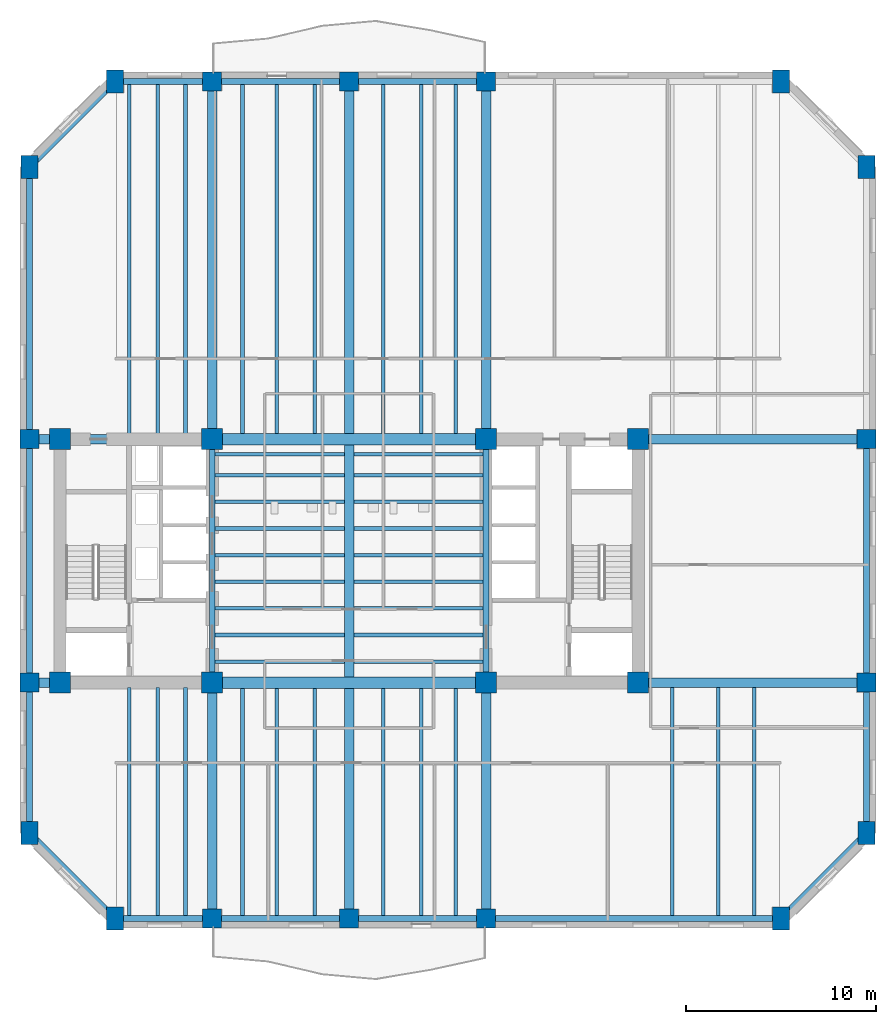
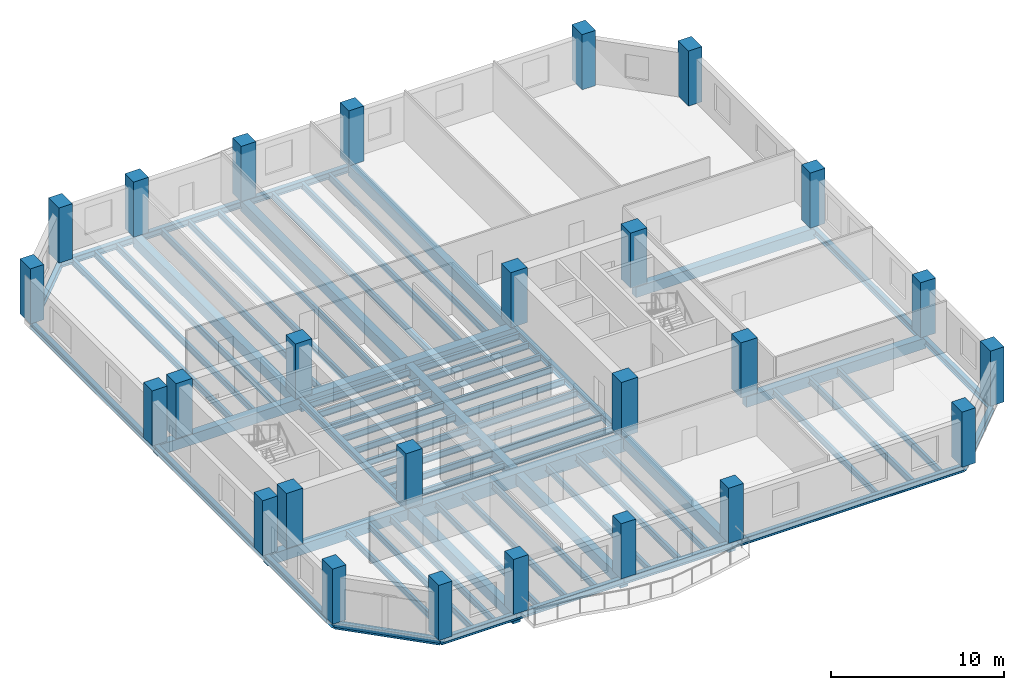
# One storey, part 1 of 9: 69 beams, 26 columns.
"""IFC4 building model written with IfcOpenShell, lengths in metres."""

from ifc_helpers import new_model, si_unit, direction, frame, origin, origin_2d, place, context, subcontext, project, spatial, rectangle, i_section, extrude, material, material_profile, profile_set, type_object, element, save


model = new_model("IFC4")

# Units and contexts
model_context = context("Model", 3, precision=1e-05, world=origin(), true_north=direction((0.0, 1.0)))
body_context = subcontext(model_context, "Body", "Model", "MODEL_VIEW")
ifc_project = project(units=[si_unit("LENGTHUNIT", "METRE"), si_unit("AREAUNIT", "SQUARE_METRE"), si_unit("VOLUMEUNIT", "CUBIC_METRE"), si_unit("PLANEANGLEUNIT", "RADIAN"), si_unit("MASSUNIT", "GRAM", prefix="KILO")], contexts=[model_context])

# Site, building, storey
site_placement = place(None, origin())
site = spatial("IfcSite", under=ifc_project, at=site_placement, CompositionType="ELEMENT")
building_placement = place(site_placement, origin())
building = spatial("IfcBuilding", under=site, at=building_placement, Name="Kranthara Brick Stack", CompositionType="ELEMENT")
storey_placement = place(building_placement, frame((0.0, 0.0, 86.699951171875)))
storey = spatial("IfcBuildingStorey", under=building, at=storey_placement, Name="L21", CompositionType="ELEMENT", Elevation=86.699951171875)

# Columns
ifc_material_1 = material(Name="Concrete C70/85", Category="concrete")
ifc_material_profile_1 = material_profile(ifc_material_1, rectangle(XDim=0.89990234375, YDim=1.199951171875, at=origin_2d()), Name="RC 900x1200")
ifc_profile_set_1 = profile_set([ifc_material_profile_1], Name="Concrete C70/85")
column_type_1 = type_object("IfcColumnType", Name="COL-CHAM-900x1200", PredefinedType="COLUMN", material=ifc_profile_set_1)
for number, where, z_axis, x_axis, name in (
    (1, (15.699951171875, 8.39990234375, 0.0), (0.0, 0.0, 1.0), (1.0, 0.0, 0.0), "L21 Column 09"),
    (2, (15.699951171875, 52.39990234375, 0.0), (0.0, 0.0, 1.0), (1.0, 0.0, 0.0), "L21 Column 10"),
    (3, (50.699951171875, 8.39990234375, 0.0), (0.0, 0.0, 1.0), (1.0, 0.0, 0.0), "L21 Column 17"),
    (4, (50.699951171875, 52.39990234375, 0.0), (0.0, 0.0, 1.0), (1.0, 0.0, 0.0), "L21 Column 18"),
    (5, (11.199951171875, 12.89990234375, 0.0), (0.0, 0.0, 1.0), (1.0, 0.0, 0.0), "L21 Column 19"),
    (6, (55.199951171875, 12.89990234375, 0.0), (0.0, 0.0, 1.0), (1.0, 0.0, 0.0), "L21 Column 20"),
    (7, (11.199951171875, 47.89990234375, 0.0), (0.0, 0.0, 1.0), (1.0, 0.0, 0.0), "L21 Column 25"),
    (8, (55.199951171875, 47.89990234375, 0.0), (0.0, 0.0, 1.0), (1.0, 0.0, 0.0), "L21 Column 26"),
):
    element("IfcColumn", number, at=place(storey_placement, frame(where, z_axis=z_axis, x_axis=x_axis)), inside=storey, type_object=column_type_1, Name=name, PredefinedType="COLUMN", context=body_context, shape_type="SweptSolid", body=[
        extrude(rectangle(XDim=0.89990234375, YDim=1.199951171875, at=origin_2d()), origin(), (0.0, 0.0, 1.0), 3.900146484375),
    ])
ifc_material_2 = material(Name="Concrete C70/85", Category="concrete")
ifc_material_profile_2 = material_profile(ifc_material_2, rectangle(XDim=1.10009765625, YDim=1.10009765625, at=origin_2d()), Name="RC 1100x1100")
ifc_profile_set_2 = profile_set([ifc_material_profile_2], Name="Concrete C70/85")
column_type_2 = type_object("IfcColumnType", Name="COL-CORE-1100", PredefinedType="COLUMN", material=ifc_profile_set_2)
for number, where, z_axis, x_axis, name in (
    (9, (12.800048828125, 20.800048828125, 0.0), (0.0, 0.0, 1.0), (1.0, 0.0, 0.0), "L21 Column 01"),
    (10, (20.800048828125, 20.800048828125, 0.0), (0.0, 0.0, 1.0), (1.0, 0.0, 0.0), "L21 Column 02"),
    (11, (12.800048828125, 33.60009765625, 0.0), (0.0, 0.0, 1.0), (1.0, 0.0, 0.0), "L21 Column 03"),
    (12, (20.800048828125, 33.60009765625, 0.0), (0.0, 0.0, 1.0), (1.0, 0.0, 0.0), "L21 Column 04"),
    (13, (35.199951171875, 20.800048828125, 0.0), (0.0, 0.0, 1.0), (1.0, 0.0, 0.0), "L21 Column 05"),
    (14, (43.199951171875, 20.800048828125, 0.0), (0.0, 0.0, 1.0), (1.0, 0.0, 0.0), "L21 Column 06"),
    (15, (35.199951171875, 33.60009765625, 0.0), (0.0, 0.0, 1.0), (1.0, 0.0, 0.0), "L21 Column 07"),
    (16, (43.199951171875, 33.60009765625, 0.0), (0.0, 0.0, 1.0), (1.0, 0.0, 0.0), "L21 Column 08"),
):
    element("IfcColumn", number, at=place(storey_placement, frame(where, z_axis=z_axis, x_axis=x_axis)), inside=storey, type_object=column_type_2, Name=name, PredefinedType="COLUMN", context=body_context, shape_type="SweptSolid", body=[
        extrude(rectangle(XDim=1.10009765625, YDim=1.10009765625, at=origin_2d()), origin(), (0.0, 0.0, 1.0), 3.900146484375),
    ])
ifc_material_3 = material(Name="Concrete C60/75", Category="concrete")
ifc_material_profile_3 = material_profile(ifc_material_3, rectangle(XDim=1.0, YDim=1.0, at=origin_2d()), Name="RC 1000x1000")
ifc_profile_set_3 = profile_set([ifc_material_profile_3], Name="Concrete C60/75")
column_type_3 = type_object("IfcColumnType", Name="COL-PER-1000", PredefinedType="COLUMN", material=ifc_profile_set_3)
for number, where, z_axis, x_axis, name in (
    (17, (20.800048828125, 8.39990234375, 0.0), (0.0, 0.0, 1.0), (1.0, 0.0, 0.0), "L21 Column 11"),
    (18, (20.800048828125, 52.39990234375, 0.0), (0.0, 0.0, 1.0), (1.0, 0.0, 0.0), "L21 Column 12"),
    (19, (28.0, 8.39990234375, 0.0), (0.0, 0.0, 1.0), (1.0, 0.0, 0.0), "L21 Column 13"),
    (20, (28.0, 52.39990234375, 0.0), (0.0, 0.0, 1.0), (1.0, 0.0, 0.0), "L21 Column 14"),
    (21, (35.199951171875, 8.39990234375, 0.0), (0.0, 0.0, 1.0), (1.0, 0.0, 0.0), "L21 Column 15"),
    (22, (35.199951171875, 52.39990234375, 0.0), (0.0, 0.0, 1.0), (1.0, 0.0, 0.0), "L21 Column 16"),
    (23, (11.199951171875, 20.800048828125, 0.0), (0.0, 0.0, 1.0), (1.0, 0.0, 0.0), "L21 Column 21"),
    (24, (55.199951171875, 20.800048828125, 0.0), (0.0, 0.0, 1.0), (1.0, 0.0, 0.0), "L21 Column 22"),
    (25, (11.199951171875, 33.60009765625, 0.0), (0.0, 0.0, 1.0), (1.0, 0.0, 0.0), "L21 Column 23"),
    (26, (55.199951171875, 33.60009765625, 0.0), (0.0, 0.0, 1.0), (1.0, 0.0, 0.0), "L21 Column 24"),
):
    element("IfcColumn", number, at=place(storey_placement, frame(where, z_axis=z_axis, x_axis=x_axis)), inside=storey, type_object=column_type_3, Name=name, PredefinedType="COLUMN", context=body_context, shape_type="SweptSolid", body=[
        extrude(rectangle(XDim=1.0, YDim=1.0, at=origin_2d()), origin(), (0.0, 0.0, 1.0), 3.900146484375),
    ])

# Beams
ifc_material_4 = material(Name="Concrete C60/75", Category="concrete")
ifc_material_profile_4 = material_profile(ifc_material_4, rectangle(XDim=0.60009765625, YDim=0.949951171875, at=origin_2d()), Name="RC 600x950")
ifc_profile_set_4 = profile_set([ifc_material_profile_4], Name="Concrete C60/75")
beam_type_1 = type_object("IfcBeamType", Name="BM-CPL-RC950", PredefinedType="LINTEL", material=ifc_profile_set_4)
for number, where, z_axis, x_axis, name in (
    (27, (20.800048828125, 20.800048828125, -0.77490234375), (1.0, 0.0, 0.0), (0.0, 1.0, 0.0), "L21 Core Coupling Beam 001"),
    (28, (20.800048828125, 33.60009765625, -0.77490234375), (1.0, 0.0, 0.0), (0.0, 1.0, 0.0), "L21 Core Coupling Beam 002"),
):
    element("IfcBeam", number, at=place(storey_placement, frame(where, z_axis=z_axis, x_axis=x_axis)), inside=storey, type_object=beam_type_1, Name=name, PredefinedType="LINTEL", context=body_context, shape_type="SweptSolid", body=[
        extrude(rectangle(XDim=0.60009765625, YDim=0.949951171875, at=origin_2d()), origin(), (0.0, 0.0, 1.0), 14.39990234375),
    ])
ifc_material_5 = material(Name="Post-tensioned concrete C45/55", Category="concrete")
ifc_material_profile_5 = material_profile(ifc_material_5, rectangle(XDim=0.5, YDim=0.75, at=origin_2d()), Name="PT 500x750")
ifc_profile_set_5 = profile_set([ifc_material_profile_5], Name="Post-tensioned concrete C45/55")
beam_type_2 = type_object("IfcBeamType", Name="BM-FLR-PT750", PredefinedType="BEAM", material=ifc_profile_set_5)
beam_1_placement = place(storey_placement, frame((20.800048828125, 8.39990234375, -0.675048828125), z_axis=(0.0, 1.0, 0.0), x_axis=(-1.0, 0.0, 0.0)))
element("IfcBeam", 29, at=beam_1_placement, inside=storey, type_object=beam_type_2, Name="L21 Primary Grid Girder 023", PredefinedType="BEAM", context=body_context, shape_type="SweptSolid", body=[
    extrude(rectangle(XDim=0.5, YDim=0.75, at=origin_2d()), origin(), (0.0, 0.0, 1.0), 12.400146484375),
])
beam_2_placement = place(storey_placement, frame((20.800048828125, 33.60009765625, -0.675048828125), z_axis=(0.0, 1.0, 0.0), x_axis=(-1.0, 0.0, 0.0)))
element("IfcBeam", 30, at=beam_2_placement, inside=storey, type_object=beam_type_2, Name="L21 Primary Grid Girder 024", PredefinedType="BEAM", context=body_context, shape_type="SweptSolid", body=[
    extrude(rectangle(XDim=0.5, YDim=0.75, at=origin_2d()), origin(), (0.0, 0.0, 1.0), 18.7998046875),
])
beam_3_placement = place(storey_placement, frame((28.0, 8.39990234375, -0.675048828125), z_axis=(0.0, 1.0, 0.0), x_axis=(-1.0, 0.0, 0.0)))
element("IfcBeam", 31, at=beam_3_placement, inside=storey, type_object=beam_type_2, Name="L21 Primary Grid Girder 025", PredefinedType="BEAM", context=body_context, shape_type="SweptSolid", body=[
    extrude(rectangle(XDim=0.5, YDim=0.75, at=origin_2d()), origin(), (0.0, 0.0, 1.0), 12.10009765625),
])
beam_4_placement = place(storey_placement, frame((28.0, 21.10009765625, -0.675048828125), z_axis=(0.0, 1.0, 0.0), x_axis=(-1.0, 0.0, 0.0)))
element("IfcBeam", 32, at=beam_4_placement, inside=storey, type_object=beam_type_2, Name="L21 Central Spine Girder 026", PredefinedType="BEAM", context=body_context, shape_type="SweptSolid", body=[
    extrude(rectangle(XDim=0.5, YDim=0.75, at=origin_2d()), origin(), (0.0, 0.0, 1.0), 12.199951171875),
])
beam_5_placement = place(storey_placement, frame((28.0, 33.89990234375, -0.675048828125), z_axis=(0.0, 1.0, 0.0), x_axis=(-1.0, 0.0, 0.0)))
element("IfcBeam", 33, at=beam_5_placement, inside=storey, type_object=beam_type_2, Name="L21 Primary Grid Girder 027", PredefinedType="BEAM", context=body_context, shape_type="SweptSolid", body=[
    extrude(rectangle(XDim=0.5, YDim=0.75, at=origin_2d()), origin(), (0.0, 0.0, 1.0), 18.5),
])
beam_6_placement = place(storey_placement, frame((35.199951171875, 8.39990234375, -0.675048828125), z_axis=(0.0, 1.0, 0.0), x_axis=(-1.0, 0.0, 0.0)))
element("IfcBeam", 34, at=beam_6_placement, inside=storey, type_object=beam_type_2, Name="L21 Primary Grid Girder 028", PredefinedType="BEAM", context=body_context, shape_type="SweptSolid", body=[
    extrude(rectangle(XDim=0.5, YDim=0.75, at=origin_2d()), origin(), (0.0, 0.0, 1.0), 12.400146484375),
])
beam_7_placement = place(storey_placement, frame((35.199951171875, 33.60009765625, -0.675048828125), z_axis=(0.0, 1.0, 0.0), x_axis=(-1.0, 0.0, 0.0)))
element("IfcBeam", 35, at=beam_7_placement, inside=storey, type_object=beam_type_2, Name="L21 Primary Grid Girder 029", PredefinedType="BEAM", context=body_context, shape_type="SweptSolid", body=[
    extrude(rectangle(XDim=0.5, YDim=0.75, at=origin_2d()), origin(), (0.0, 0.0, 1.0), 18.7998046875),
])
beam_8_placement = place(storey_placement, frame((11.199951171875, 20.800048828125, -0.675048828125), z_axis=(1.0, 0.0, 0.0), x_axis=(0.0, 1.0, 0.0)))
element("IfcBeam", 36, at=beam_8_placement, inside=storey, type_object=beam_type_2, Name="L21 Primary Grid Girder 030", PredefinedType="BEAM", context=body_context, shape_type="SweptSolid", body=[
    extrude(rectangle(XDim=0.5, YDim=0.75, at=origin_2d()), origin(), (0.0, 0.0, 1.0), 9.60009765625),
])
beam_9_placement = place(storey_placement, frame((43.199951171875, 20.800048828125, -0.675048828125), z_axis=(1.0, 0.0, 0.0), x_axis=(0.0, 1.0, 0.0)))
element("IfcBeam", 37, at=beam_9_placement, inside=storey, type_object=beam_type_2, Name="L21 Primary Grid Girder 031", PredefinedType="BEAM", context=body_context, shape_type="SweptSolid", body=[
    extrude(rectangle(XDim=0.5, YDim=0.75, at=origin_2d()), origin(), (0.0, 0.0, 1.0), 12.0),
])
beam_10_placement = place(storey_placement, frame((11.199951171875, 33.60009765625, -0.675048828125), z_axis=(1.0, 0.0, 0.0), x_axis=(0.0, 1.0, 0.0)))
element("IfcBeam", 38, at=beam_10_placement, inside=storey, type_object=beam_type_2, Name="L21 Primary Grid Girder 032", PredefinedType="BEAM", context=body_context, shape_type="SweptSolid", body=[
    extrude(rectangle(XDim=0.5, YDim=0.75, at=origin_2d()), origin(), (0.0, 0.0, 1.0), 9.60009765625),
])
beam_11_placement = place(storey_placement, frame((43.199951171875, 33.60009765625, -0.675048828125), z_axis=(1.0, 0.0, 0.0), x_axis=(0.0, 1.0, 0.0)))
element("IfcBeam", 39, at=beam_11_placement, inside=storey, type_object=beam_type_2, Name="L21 Primary Grid Girder 033", PredefinedType="BEAM", context=body_context, shape_type="SweptSolid", body=[
    extrude(rectangle(XDim=0.5, YDim=0.75, at=origin_2d()), origin(), (0.0, 0.0, 1.0), 12.0),
])
ifc_material_6 = material(Name="Steel S355", Category="steel")
ifc_material_profile_6 = material_profile(ifc_material_6, i_section(OverallWidth=0.18994140625, OverallDepth=0.449951171875, WebThickness=0.009521484375, FlangeThickness=0.0146484375, at=origin_2d()), Name="IPE 450")
ifc_profile_set_6 = profile_set([ifc_material_profile_6], Name="Steel S355")
beam_type_3 = type_object("IfcBeamType", Name="BM-JST-IPE450", PredefinedType="JOIST", material=ifc_profile_set_6)
for number, where, z_axis, x_axis, name in (
    (40, (20.949951171875, 21.89990234375, -0.52490234375), (1.0, 0.0, 0.0), (0.0, 1.0, 0.0), "L21 Central Floor Joist 034"),
    (41, (28.25, 21.89990234375, -0.52490234375), (1.0, 0.0, 0.0), (0.0, 1.0, 0.0), "L21 Central Floor Joist 035"),
    (42, (20.949951171875, 23.300048828125, -0.52490234375), (1.0, 0.0, 0.0), (0.0, 1.0, 0.0), "L21 Central Floor Joist 036"),
    (43, (28.25, 23.300048828125, -0.52490234375), (1.0, 0.0, 0.0), (0.0, 1.0, 0.0), "L21 Central Floor Joist 037"),
    (44, (20.949951171875, 24.699951171875, -0.52490234375), (1.0, 0.0, 0.0), (0.0, 1.0, 0.0), "L21 Central Floor Joist 038"),
    (45, (28.25, 24.699951171875, -0.52490234375), (1.0, 0.0, 0.0), (0.0, 1.0, 0.0), "L21 Central Floor Joist 039"),
    (46, (20.949951171875, 26.10009765625, -0.52490234375), (1.0, 0.0, 0.0), (0.0, 1.0, 0.0), "L21 Central Floor Joist 040"),
    (47, (28.25, 26.10009765625, -0.52490234375), (1.0, 0.0, 0.0), (0.0, 1.0, 0.0), "L21 Central Floor Joist 041"),
    (48, (20.949951171875, 27.5, -0.52490234375), (1.0, 0.0, 0.0), (0.0, 1.0, 0.0), "L21 Central Floor Joist 042"),
    (49, (28.25, 27.5, -0.52490234375), (1.0, 0.0, 0.0), (0.0, 1.0, 0.0), "L21 Central Floor Joist 043"),
    (50, (20.949951171875, 28.89990234375, -0.52490234375), (1.0, 0.0, 0.0), (0.0, 1.0, 0.0), "L21 Central Floor Joist 044"),
    (51, (28.25, 28.89990234375, -0.52490234375), (1.0, 0.0, 0.0), (0.0, 1.0, 0.0), "L21 Central Floor Joist 045"),
    (52, (20.949951171875, 30.300048828125, -0.52490234375), (1.0, 0.0, 0.0), (0.0, 1.0, 0.0), "L21 Central Floor Joist 046"),
    (53, (28.25, 30.300048828125, -0.52490234375), (1.0, 0.0, 0.0), (0.0, 1.0, 0.0), "L21 Central Floor Joist 047"),
    (54, (20.949951171875, 31.699951171875, -0.52490234375), (1.0, 0.0, 0.0), (0.0, 1.0, 0.0), "L21 Central Floor Joist 048"),
    (55, (28.25, 31.699951171875, -0.52490234375), (1.0, 0.0, 0.0), (0.0, 1.0, 0.0), "L21 Central Floor Joist 049"),
    (56, (20.949951171875, 32.800048828125, -0.52490234375), (1.0, 0.0, 0.0), (0.0, 1.0, 0.0), "L21 Central Floor Joist 050"),
    (57, (28.25, 32.800048828125, -0.52490234375), (1.0, 0.0, 0.0), (0.0, 1.0, 0.0), "L21 Central Floor Joist 051"),
):
    element("IfcBeam", number, at=place(storey_placement, frame(where, z_axis=z_axis, x_axis=x_axis)), inside=storey, type_object=beam_type_3, Name=name, PredefinedType="JOIST", context=body_context, shape_type="SweptSolid", body=[
        extrude(i_section(OverallWidth=0.18994140625, OverallDepth=0.449951171875, WebThickness=0.009521484375, FlangeThickness=0.0146484375, at=origin_2d()), origin(), (0.0, 0.0, 1.0), 6.800048828125),
    ])
beam_12_placement = place(storey_placement, frame((16.449951171875, 8.550048828125, -0.52490234375), z_axis=(0.0, 1.0, 0.0), x_axis=(-1.0, 0.0, 0.0)))
element("IfcBeam", 58, at=beam_12_placement, inside=storey, type_object=beam_type_3, Name="L21 South Wing Floor Joist 052", PredefinedType="JOIST", context=body_context, shape_type="SweptSolid", body=[
    extrude(i_section(OverallWidth=0.18994140625, OverallDepth=0.449951171875, WebThickness=0.009521484375, FlangeThickness=0.0146484375, at=origin_2d()), origin(), (0.0, 0.0, 1.0), 12.0),
])
beam_13_placement = place(storey_placement, frame((16.449951171875, 33.85009765625, -0.52490234375), z_axis=(0.0, 1.0, 0.0), x_axis=(-1.0, 0.0, 0.0)))
element("IfcBeam", 59, at=beam_13_placement, inside=storey, type_object=beam_type_3, Name="L21 North Wing Floor Joist 053", PredefinedType="JOIST", context=body_context, shape_type="SweptSolid", body=[
    extrude(i_section(OverallWidth=0.18994140625, OverallDepth=0.449951171875, WebThickness=0.009521484375, FlangeThickness=0.0146484375, at=origin_2d()), origin(), (0.0, 0.0, 1.0), 18.39990234375),
])
beam_14_placement = place(storey_placement, frame((17.949951171875, 8.550048828125, -0.52490234375), z_axis=(0.0, 1.0, 0.0), x_axis=(-1.0, 0.0, 0.0)))
element("IfcBeam", 60, at=beam_14_placement, inside=storey, type_object=beam_type_3, Name="L21 South Wing Floor Joist 054", PredefinedType="JOIST", context=body_context, shape_type="SweptSolid", body=[
    extrude(i_section(OverallWidth=0.18994140625, OverallDepth=0.449951171875, WebThickness=0.009521484375, FlangeThickness=0.0146484375, at=origin_2d()), origin(), (0.0, 0.0, 1.0), 12.0),
])
beam_15_placement = place(storey_placement, frame((17.949951171875, 33.85009765625, -0.52490234375), z_axis=(0.0, 1.0, 0.0), x_axis=(-1.0, 0.0, 0.0)))
element("IfcBeam", 61, at=beam_15_placement, inside=storey, type_object=beam_type_3, Name="L21 North Wing Floor Joist 055", PredefinedType="JOIST", context=body_context, shape_type="SweptSolid", body=[
    extrude(i_section(OverallWidth=0.18994140625, OverallDepth=0.449951171875, WebThickness=0.009521484375, FlangeThickness=0.0146484375, at=origin_2d()), origin(), (0.0, 0.0, 1.0), 18.39990234375),
])
beam_16_placement = place(storey_placement, frame((19.39990234375, 8.550048828125, -0.52490234375), z_axis=(0.0, 1.0, 0.0), x_axis=(-1.0, 0.0, 0.0)))
element("IfcBeam", 62, at=beam_16_placement, inside=storey, type_object=beam_type_3, Name="L21 South Wing Floor Joist 056", PredefinedType="JOIST", context=body_context, shape_type="SweptSolid", body=[
    extrude(i_section(OverallWidth=0.18994140625, OverallDepth=0.449951171875, WebThickness=0.009521484375, FlangeThickness=0.0146484375, at=origin_2d()), origin(), (0.0, 0.0, 1.0), 12.0),
])
beam_17_placement = place(storey_placement, frame((19.39990234375, 33.85009765625, -0.52490234375), z_axis=(0.0, 1.0, 0.0), x_axis=(-1.0, 0.0, 0.0)))
element("IfcBeam", 63, at=beam_17_placement, inside=storey, type_object=beam_type_3, Name="L21 North Wing Floor Joist 057", PredefinedType="JOIST", context=body_context, shape_type="SweptSolid", body=[
    extrude(i_section(OverallWidth=0.18994140625, OverallDepth=0.449951171875, WebThickness=0.009521484375, FlangeThickness=0.0146484375, at=origin_2d()), origin(), (0.0, 0.0, 1.0), 18.39990234375),
])
beam_18_placement = place(storey_placement, frame((22.39990234375, 8.550048828125, -0.52490234375), z_axis=(0.0, 1.0, 0.0), x_axis=(-1.0, 0.0, 0.0)))
element("IfcBeam", 64, at=beam_18_placement, inside=storey, type_object=beam_type_3, Name="L21 South Wing Floor Joist 058", PredefinedType="JOIST", context=body_context, shape_type="SweptSolid", body=[
    extrude(i_section(OverallWidth=0.18994140625, OverallDepth=0.449951171875, WebThickness=0.009521484375, FlangeThickness=0.0146484375, at=origin_2d()), origin(), (0.0, 0.0, 1.0), 11.949951171875),
])
beam_19_placement = place(storey_placement, frame((22.39990234375, 33.89990234375, -0.52490234375), z_axis=(0.0, 1.0, 0.0), x_axis=(-1.0, 0.0, 0.0)))
element("IfcBeam", 65, at=beam_19_placement, inside=storey, type_object=beam_type_3, Name="L21 North Wing Floor Joist 059", PredefinedType="JOIST", context=body_context, shape_type="SweptSolid", body=[
    extrude(i_section(OverallWidth=0.18994140625, OverallDepth=0.449951171875, WebThickness=0.009521484375, FlangeThickness=0.0146484375, at=origin_2d()), origin(), (0.0, 0.0, 1.0), 18.35009765625),
])
beam_20_placement = place(storey_placement, frame((24.199951171875, 8.550048828125, -0.52490234375), z_axis=(0.0, 1.0, 0.0), x_axis=(-1.0, 0.0, 0.0)))
element("IfcBeam", 66, at=beam_20_placement, inside=storey, type_object=beam_type_3, Name="L21 South Wing Floor Joist 060", PredefinedType="JOIST", context=body_context, shape_type="SweptSolid", body=[
    extrude(i_section(OverallWidth=0.18994140625, OverallDepth=0.449951171875, WebThickness=0.009521484375, FlangeThickness=0.0146484375, at=origin_2d()), origin(), (0.0, 0.0, 1.0), 11.949951171875),
])
beam_21_placement = place(storey_placement, frame((24.199951171875, 33.89990234375, -0.52490234375), z_axis=(0.0, 1.0, 0.0), x_axis=(-1.0, 0.0, 0.0)))
element("IfcBeam", 67, at=beam_21_placement, inside=storey, type_object=beam_type_3, Name="L21 North Wing Floor Joist 061", PredefinedType="JOIST", context=body_context, shape_type="SweptSolid", body=[
    extrude(i_section(OverallWidth=0.18994140625, OverallDepth=0.449951171875, WebThickness=0.009521484375, FlangeThickness=0.0146484375, at=origin_2d()), origin(), (0.0, 0.0, 1.0), 18.35009765625),
])
beam_22_placement = place(storey_placement, frame((26.199951171875, 8.550048828125, -0.52490234375), z_axis=(0.0, 1.0, 0.0), x_axis=(-1.0, 0.0, 0.0)))
element("IfcBeam", 68, at=beam_22_placement, inside=storey, type_object=beam_type_3, Name="L21 South Wing Floor Joist 062", PredefinedType="JOIST", context=body_context, shape_type="SweptSolid", body=[
    extrude(i_section(OverallWidth=0.18994140625, OverallDepth=0.449951171875, WebThickness=0.009521484375, FlangeThickness=0.0146484375, at=origin_2d()), origin(), (0.0, 0.0, 1.0), 11.949951171875),
])
beam_23_placement = place(storey_placement, frame((26.199951171875, 33.89990234375, -0.52490234375), z_axis=(0.0, 1.0, 0.0), x_axis=(-1.0, 0.0, 0.0)))
element("IfcBeam", 69, at=beam_23_placement, inside=storey, type_object=beam_type_3, Name="L21 North Wing Floor Joist 063", PredefinedType="JOIST", context=body_context, shape_type="SweptSolid", body=[
    extrude(i_section(OverallWidth=0.18994140625, OverallDepth=0.449951171875, WebThickness=0.009521484375, FlangeThickness=0.0146484375, at=origin_2d()), origin(), (0.0, 0.0, 1.0), 18.35009765625),
])
beam_24_placement = place(storey_placement, frame((29.800048828125, 8.550048828125, -0.52490234375), z_axis=(0.0, 1.0, 0.0), x_axis=(-1.0, 0.0, 0.0)))
element("IfcBeam", 70, at=beam_24_placement, inside=storey, type_object=beam_type_3, Name="L21 South Wing Floor Joist 064", PredefinedType="JOIST", context=body_context, shape_type="SweptSolid", body=[
    extrude(i_section(OverallWidth=0.18994140625, OverallDepth=0.449951171875, WebThickness=0.009521484375, FlangeThickness=0.0146484375, at=origin_2d()), origin(), (0.0, 0.0, 1.0), 11.949951171875),
])
beam_25_placement = place(storey_placement, frame((29.800048828125, 33.89990234375, -0.52490234375), z_axis=(0.0, 1.0, 0.0), x_axis=(-1.0, 0.0, 0.0)))
element("IfcBeam", 71, at=beam_25_placement, inside=storey, type_object=beam_type_3, Name="L21 North Wing Floor Joist 065", PredefinedType="JOIST", context=body_context, shape_type="SweptSolid", body=[
    extrude(i_section(OverallWidth=0.18994140625, OverallDepth=0.449951171875, WebThickness=0.009521484375, FlangeThickness=0.0146484375, at=origin_2d()), origin(), (0.0, 0.0, 1.0), 18.35009765625),
])
beam_26_placement = place(storey_placement, frame((31.800048828125, 8.550048828125, -0.52490234375), z_axis=(0.0, 1.0, 0.0), x_axis=(-1.0, 0.0, 0.0)))
element("IfcBeam", 72, at=beam_26_placement, inside=storey, type_object=beam_type_3, Name="L21 South Wing Floor Joist 066", PredefinedType="JOIST", context=body_context, shape_type="SweptSolid", body=[
    extrude(i_section(OverallWidth=0.18994140625, OverallDepth=0.449951171875, WebThickness=0.009521484375, FlangeThickness=0.0146484375, at=origin_2d()), origin(), (0.0, 0.0, 1.0), 11.949951171875),
])
beam_27_placement = place(storey_placement, frame((31.800048828125, 33.89990234375, -0.52490234375), z_axis=(0.0, 1.0, 0.0), x_axis=(-1.0, 0.0, 0.0)))
element("IfcBeam", 73, at=beam_27_placement, inside=storey, type_object=beam_type_3, Name="L21 North Wing Floor Joist 067", PredefinedType="JOIST", context=body_context, shape_type="SweptSolid", body=[
    extrude(i_section(OverallWidth=0.18994140625, OverallDepth=0.449951171875, WebThickness=0.009521484375, FlangeThickness=0.0146484375, at=origin_2d()), origin(), (0.0, 0.0, 1.0), 18.35009765625),
])
beam_28_placement = place(storey_placement, frame((33.60009765625, 8.550048828125, -0.52490234375), z_axis=(0.0, 1.0, 0.0), x_axis=(-1.0, 0.0, 0.0)))
element("IfcBeam", 74, at=beam_28_placement, inside=storey, type_object=beam_type_3, Name="L21 South Wing Floor Joist 068", PredefinedType="JOIST", context=body_context, shape_type="SweptSolid", body=[
    extrude(i_section(OverallWidth=0.18994140625, OverallDepth=0.449951171875, WebThickness=0.009521484375, FlangeThickness=0.0146484375, at=origin_2d()), origin(), (0.0, 0.0, 1.0), 11.949951171875),
])
beam_29_placement = place(storey_placement, frame((33.60009765625, 33.89990234375, -0.52490234375), z_axis=(0.0, 1.0, 0.0), x_axis=(-1.0, 0.0, 0.0)))
element("IfcBeam", 75, at=beam_29_placement, inside=storey, type_object=beam_type_3, Name="L21 North Wing Floor Joist 069", PredefinedType="JOIST", context=body_context, shape_type="SweptSolid", body=[
    extrude(i_section(OverallWidth=0.18994140625, OverallDepth=0.449951171875, WebThickness=0.009521484375, FlangeThickness=0.0146484375, at=origin_2d()), origin(), (0.0, 0.0, 1.0), 18.35009765625),
])
for number, where, z_axis, x_axis, name in (
    (76, (45.0, 8.550048828125, -0.52490234375), (0.0, 1.0, 0.0), (-1.0, 0.0, 0.0), "L21 South Wing Floor Joist 070"),
    (77, (47.39990234375, 8.550048828125, -0.52490234375), (0.0, 1.0, 0.0), (-1.0, 0.0, 0.0), "L21 South Wing Floor Joist 072"),
    (78, (49.300048828125, 8.550048828125, -0.52490234375), (0.0, 1.0, 0.0), (-1.0, 0.0, 0.0), "L21 South Wing Floor Joist 074"),
):
    element("IfcBeam", number, at=place(storey_placement, frame(where, z_axis=z_axis, x_axis=x_axis)), inside=storey, type_object=beam_type_3, Name=name, PredefinedType="JOIST", context=body_context, shape_type="SweptSolid", body=[
        extrude(i_section(OverallWidth=0.18994140625, OverallDepth=0.449951171875, WebThickness=0.009521484375, FlangeThickness=0.0146484375, at=origin_2d()), origin(), (0.0, 0.0, 1.0), 12.0),
    ])
ifc_material_7 = material(Name="Steel S355", Category="steel")
ifc_material_profile_7 = material_profile(ifc_material_7, i_section(OverallWidth=0.300048828125, OverallDepth=0.449951171875, WebThickness=0.013916015625, FlangeThickness=0.02587890625, at=origin_2d()), Name="HEB 450")
ifc_profile_set_7 = profile_set([ifc_material_profile_7], Name="Steel S355")
beam_type_4 = type_object("IfcBeamType", Name="BM-STL-HEB450", PredefinedType="SPANDREL", material=ifc_profile_set_7)
for number, where, z_axis, x_axis, name in (
    (79, (20.800048828125, 20.800048828125, -0.52490234375), (0.0, 1.0, 0.0), (-1.0, 0.0, 0.0), "L21 Core Edge Tie Beam 003"),
    (80, (35.199951171875, 20.800048828125, -0.52490234375), (0.0, 1.0, 0.0), (-1.0, 0.0, 0.0), "L21 Core Edge Tie Beam 004"),
):
    element("IfcBeam", number, at=place(storey_placement, frame(where, z_axis=z_axis, x_axis=x_axis)), inside=storey, type_object=beam_type_4, Name=name, PredefinedType="SPANDREL", context=body_context, shape_type="SweptSolid", body=[
        extrude(i_section(OverallWidth=0.300048828125, OverallDepth=0.449951171875, WebThickness=0.013916015625, FlangeThickness=0.02587890625, at=origin_2d()), origin(), (0.0, 0.0, 1.0), 12.800048828125),
    ])
beam_30_placement = place(storey_placement, frame((15.699951171875, 8.39990234375, -0.52490234375), z_axis=(1.0, 0.0, 0.0), x_axis=(0.0, 1.0, 0.0)))
element("IfcBeam", 81, at=beam_30_placement, inside=storey, type_object=beam_type_4, Name="L21 Perimeter Spandrel Beam 005", PredefinedType="SPANDREL", context=body_context, shape_type="SweptSolid", body=[
    extrude(i_section(OverallWidth=0.300048828125, OverallDepth=0.449951171875, WebThickness=0.013916015625, FlangeThickness=0.02587890625, at=origin_2d()), origin(), (0.0, 0.0, 1.0), 5.10009765625),
])
for number, where, z_axis, x_axis, name in (
    (82, (20.800048828125, 8.39990234375, -0.52490234375), (1.0, 0.0, 0.0), (0.0, 1.0, 0.0), "L21 Perimeter Spandrel Beam 006"),
    (83, (28.0, 8.39990234375, -0.52490234375), (1.0, 0.0, 0.0), (0.0, 1.0, 0.0), "L21 Perimeter Spandrel Beam 007"),
):
    element("IfcBeam", number, at=place(storey_placement, frame(where, z_axis=z_axis, x_axis=x_axis)), inside=storey, type_object=beam_type_4, Name=name, PredefinedType="SPANDREL", context=body_context, shape_type="SweptSolid", body=[
        extrude(i_section(OverallWidth=0.300048828125, OverallDepth=0.449951171875, WebThickness=0.013916015625, FlangeThickness=0.02587890625, at=origin_2d()), origin(), (0.0, 0.0, 1.0), 7.199951171875),
    ])
beam_31_placement = place(storey_placement, frame((35.199951171875, 8.39990234375, -0.52490234375), z_axis=(1.0, 0.0, 0.0), x_axis=(0.0, 1.0, 0.0)))
element("IfcBeam", 84, at=beam_31_placement, inside=storey, type_object=beam_type_4, Name="L21 Perimeter Spandrel Beam 008", PredefinedType="SPANDREL", context=body_context, shape_type="SweptSolid", body=[
    extrude(i_section(OverallWidth=0.300048828125, OverallDepth=0.449951171875, WebThickness=0.013916015625, FlangeThickness=0.02587890625, at=origin_2d()), origin(), (0.0, 0.0, 1.0), 15.5),
])
beam_32_placement = place(storey_placement, frame((15.699951171875, 52.39990234375, -0.52490234375), z_axis=(1.0, 0.0, 0.0), x_axis=(0.0, 1.0, 0.0)))
element("IfcBeam", 85, at=beam_32_placement, inside=storey, type_object=beam_type_4, Name="L21 Perimeter Spandrel Beam 009", PredefinedType="SPANDREL", context=body_context, shape_type="SweptSolid", body=[
    extrude(i_section(OverallWidth=0.300048828125, OverallDepth=0.449951171875, WebThickness=0.013916015625, FlangeThickness=0.02587890625, at=origin_2d()), origin(), (0.0, 0.0, 1.0), 5.10009765625),
])
for number, where, z_axis, x_axis, name in (
    (86, (20.800048828125, 52.39990234375, -0.52490234375), (1.0, 0.0, 0.0), (0.0, 1.0, 0.0), "L21 Perimeter Spandrel Beam 010"),
    (87, (28.0, 52.39990234375, -0.52490234375), (1.0, 0.0, 0.0), (0.0, 1.0, 0.0), "L21 Perimeter Spandrel Beam 011"),
):
    element("IfcBeam", number, at=place(storey_placement, frame(where, z_axis=z_axis, x_axis=x_axis)), inside=storey, type_object=beam_type_4, Name=name, PredefinedType="SPANDREL", context=body_context, shape_type="SweptSolid", body=[
        extrude(i_section(OverallWidth=0.300048828125, OverallDepth=0.449951171875, WebThickness=0.013916015625, FlangeThickness=0.02587890625, at=origin_2d()), origin(), (0.0, 0.0, 1.0), 7.199951171875),
    ])
beam_33_placement = place(storey_placement, frame((11.199951171875, 12.89990234375, -0.52490234375), z_axis=(0.0, 1.0, 0.0), x_axis=(-1.0, 0.0, 0.0)))
element("IfcBeam", 88, at=beam_33_placement, inside=storey, type_object=beam_type_4, Name="L21 Perimeter Spandrel Beam 013", PredefinedType="SPANDREL", context=body_context, shape_type="SweptSolid", body=[
    extrude(i_section(OverallWidth=0.300048828125, OverallDepth=0.449951171875, WebThickness=0.013916015625, FlangeThickness=0.02587890625, at=origin_2d()), origin(), (0.0, 0.0, 1.0), 7.900146484375),
])
beam_34_placement = place(storey_placement, frame((11.199951171875, 20.800048828125, -0.52490234375), z_axis=(0.0, 1.0, 0.0), x_axis=(-1.0, 0.0, 0.0)))
element("IfcBeam", 89, at=beam_34_placement, inside=storey, type_object=beam_type_4, Name="L21 Perimeter Spandrel Beam 014", PredefinedType="SPANDREL", context=body_context, shape_type="SweptSolid", body=[
    extrude(i_section(OverallWidth=0.300048828125, OverallDepth=0.449951171875, WebThickness=0.013916015625, FlangeThickness=0.02587890625, at=origin_2d()), origin(), (0.0, 0.0, 1.0), 12.800048828125),
])
beam_35_placement = place(storey_placement, frame((11.199951171875, 33.60009765625, -0.52490234375), z_axis=(0.0, 1.0, 0.0), x_axis=(-1.0, 0.0, 0.0)))
element("IfcBeam", 90, at=beam_35_placement, inside=storey, type_object=beam_type_4, Name="L21 Perimeter Spandrel Beam 015", PredefinedType="SPANDREL", context=body_context, shape_type="SweptSolid", body=[
    extrude(i_section(OverallWidth=0.300048828125, OverallDepth=0.449951171875, WebThickness=0.013916015625, FlangeThickness=0.02587890625, at=origin_2d()), origin(), (0.0, 0.0, 1.0), 14.2998046875),
])
beam_36_placement = place(storey_placement, frame((55.199951171875, 12.89990234375, -0.52490234375), z_axis=(0.0, 1.0, 0.0), x_axis=(-1.0, 0.0, 0.0)))
element("IfcBeam", 91, at=beam_36_placement, inside=storey, type_object=beam_type_4, Name="L21 Perimeter Spandrel Beam 016", PredefinedType="SPANDREL", context=body_context, shape_type="SweptSolid", body=[
    extrude(i_section(OverallWidth=0.300048828125, OverallDepth=0.449951171875, WebThickness=0.013916015625, FlangeThickness=0.02587890625, at=origin_2d()), origin(), (0.0, 0.0, 1.0), 7.900146484375),
])
beam_37_placement = place(storey_placement, frame((55.199951171875, 20.800048828125, -0.52490234375), z_axis=(0.0, 1.0, 0.0), x_axis=(-1.0, 0.0, 0.0)))
element("IfcBeam", 92, at=beam_37_placement, inside=storey, type_object=beam_type_4, Name="L21 Perimeter Spandrel Beam 017", PredefinedType="SPANDREL", context=body_context, shape_type="SweptSolid", body=[
    extrude(i_section(OverallWidth=0.300048828125, OverallDepth=0.449951171875, WebThickness=0.013916015625, FlangeThickness=0.02587890625, at=origin_2d()), origin(), (0.0, 0.0, 1.0), 12.800048828125),
])
for number, where, z_axis, x_axis, name in (
    (93, (15.699951171875, 8.39990234375, -0.52490234375), (-0.707106781187, 0.707106781187, 0.0), (-0.707106781187, -0.707106781187, 0.0), "L21 Chamfer Corner Spandrel 019"),
    (94, (50.699951171875, 8.39990234375, -0.52490234375), (0.707106781187, 0.707106781187, 0.0), (-0.707106781187, 0.707106781187, 0.0), "L21 Chamfer Corner Spandrel 020"),
    (95, (15.699951171875, 52.39990234375, -0.52490234375), (-0.707106781187, -0.707106781187, 0.0), (0.707106781187, -0.707106781187, 0.0), "L21 Chamfer Corner Spandrel 021"),
):
    element("IfcBeam", number, at=place(storey_placement, frame(where, z_axis=z_axis, x_axis=x_axis)), inside=storey, type_object=beam_type_4, Name=name, PredefinedType="SPANDREL", context=body_context, shape_type="SweptSolid", body=[
        extrude(i_section(OverallWidth=0.300048828125, OverallDepth=0.449951171875, WebThickness=0.013916015625, FlangeThickness=0.02587890625, at=origin_2d()), origin(), (0.0, 0.0, 1.0), 6.364013671875),
    ])

save(model, "model.ifc")
